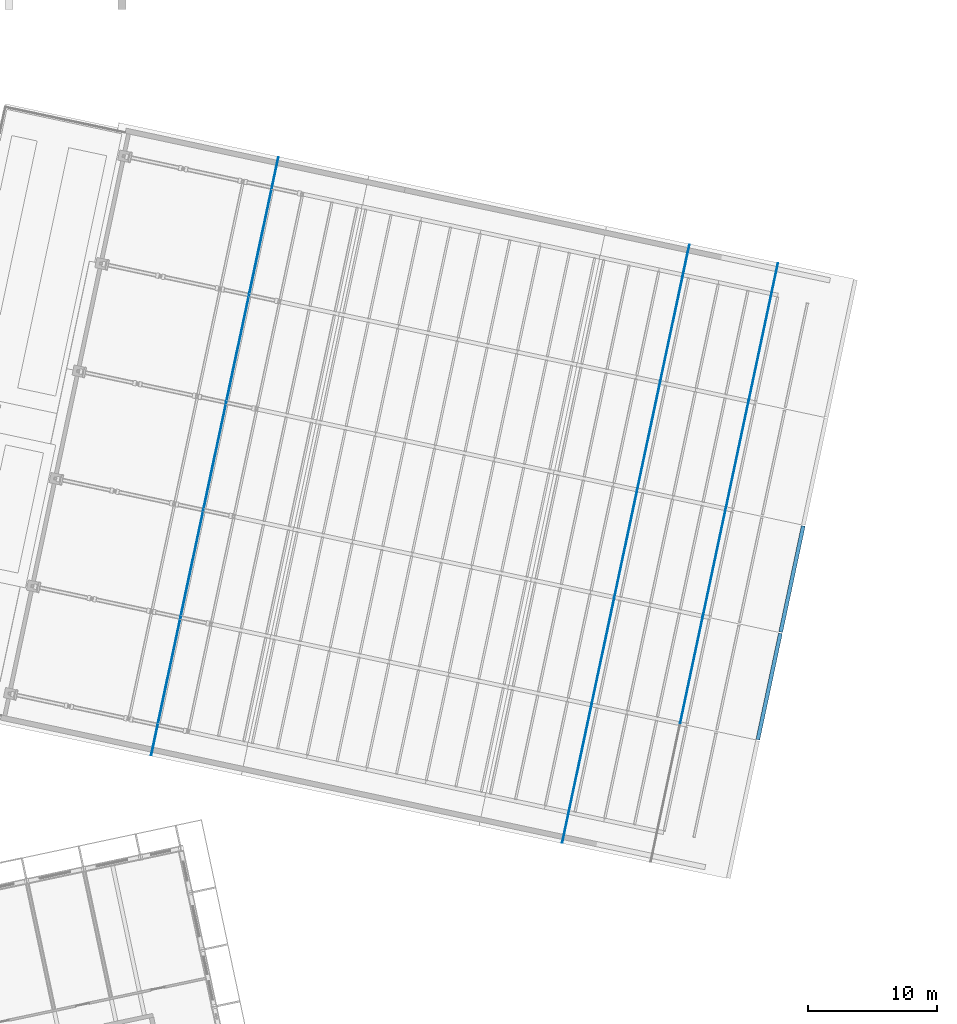
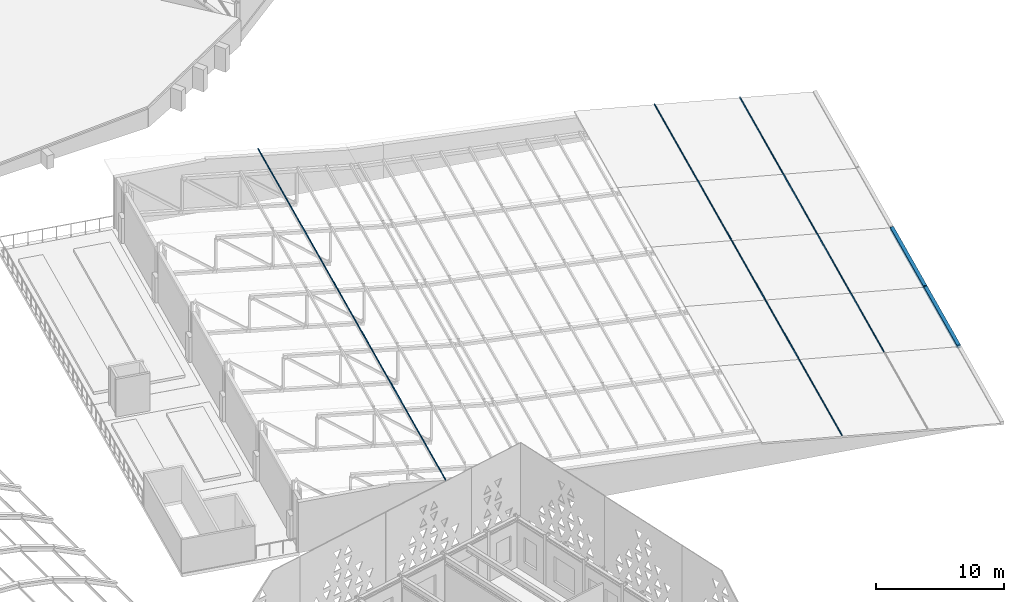
# One storey, part 138 of 196: 16 discrete accessories.
"""IFC4 building model written with IfcOpenShell, lengths in metres."""

from ifc_helpers import new_model, si_unit, direction, frame, origin, origin_2d, place, context, subcontext, project, spatial, polyline, rectangle, outline, extrude, material, type_object, element, save


model = new_model("IFC4")

# Units and contexts
model_context = context("Model", 3, precision=1e-05, world=origin(), true_north=direction((0.0, 1.0)))
body_context = subcontext(model_context, "Body", "Model", "MODEL_VIEW")
ifc_project = project(units=[si_unit("LENGTHUNIT", "METRE"), si_unit("AREAUNIT", "SQUARE_METRE"), si_unit("VOLUMEUNIT", "CUBIC_METRE"), si_unit("PLANEANGLEUNIT", "RADIAN"), si_unit("MASSUNIT", "GRAM", prefix="KILO")], contexts=[model_context])

# Site, building, storey
site_placement = place(None, origin())
site = spatial("IfcSite", under=ifc_project, at=site_placement, CompositionType="ELEMENT")
building_placement = place(site_placement, origin())
building = spatial("IfcBuilding", under=site, at=building_placement, Name="Okhra Congress Centre", CompositionType="ELEMENT")
storey_placement = place(building_placement, frame((0.0, 0.0, 12.0)))
storey = spatial("IfcBuildingStorey", under=building, at=storey_placement, Name="L02", CompositionType="ELEMENT", Elevation=12.0)

# Discrete accessories
ifc_material_1 = material(Name="Stainless steel box gutter with self-regulating heating cable", Category="steel")
discrete_accessory_type_1 = type_object("IfcDiscreteAccessoryType", Name="Heated eaves gutter 300x300", PredefinedType="USERDEFINED", material=ifc_material_1)
for number, where, z_axis, x_axis, name in (
    (1, (258.697265625, 96.221923828125, -0.09423828125), (0.0, 0.0, 1.0), (0.978147600734, -0.207911690818, 0.0), "Heated eaves gutter"),
    (2, (260.464599609375, 104.5361328125, -0.09423828125), (0.0, 0.0, 1.0), (0.978147600734, -0.207911690818, 0.0), "Heated eaves gutter"),
):
    element("IfcDiscreteAccessory", number, at=place(storey_placement, frame(where, z_axis=z_axis, x_axis=x_axis)), inside=storey, type_object=discrete_accessory_type_1, Name=name, ObjectType="HEATED GUTTER", PredefinedType="USERDEFINED", context=body_context, shape_type="SweptSolid", body=[
        extrude(rectangle(XDim=0.300048828125, YDim=8.39990234375, at=origin_2d()), origin(), (0.0, 0.0, 1.0), 0.300048828125),
    ])
ifc_material_2 = material(Name="Stainless steel snow retention bar clamped to the standing seams", Category="steel")
discrete_accessory_type_2 = type_object("IfcDiscreteAccessoryType", Name="Snow guard bar 40x120", PredefinedType="USERDEFINED", material=ifc_material_2)
discrete_accessory_1_placement = place(storey_placement, frame((210.89501953125, 90.89404296875, 4.617919921875), z_axis=(0.136197879382, -0.028949607911, 0.990258581308), x_axis=(0.96863019603, -0.205833916656, -0.139240590679)))
element("IfcDiscreteAccessory", 3, at=discrete_accessory_1_placement, inside=storey, type_object=discrete_accessory_type_2, Name="Snow guard bar", ObjectType="SNOW GUARD", PredefinedType="USERDEFINED", context=body_context, shape_type="SweptSolid", body=[
    extrude(outline(polyline([(0.0, 0.0), (0.040327567899596094, -6.750852589616774e-19), (0.040898080679850915, 10.850136306943863), (0.0005705127802544396, 10.850136306943863), (0.0, 0.0)])), origin(), (0.0, 0.0, -1.0), 0.1201171875),
])
discrete_accessory_2_placement = place(storey_placement, frame((242.684814453125, 84.136962890625, 1.822998046875), z_axis=(0.118713785154, -0.025233848052, 0.992607822922), x_axis=(0.970928127506, -0.206322227095, -0.121366015938)))
element("IfcDiscreteAccessory", 4, at=discrete_accessory_2_placement, inside=storey, type_object=discrete_accessory_type_2, Name="Snow guard bar", ObjectType="SNOW GUARD", PredefinedType="USERDEFINED", context=body_context, shape_type="SweptSolid", body=[
    extrude(outline(polyline([(0.0, 0.0), (0.040232123154520544, -5.522654816098038e-19), (0.0408543610292039, 10.849897498600846), (0.0006222378746834067, 10.849897498600845), (0.0, 0.0)])), origin(), (0.0, 0.0, -1.0), 0.1201171875),
])
discrete_accessory_3_placement = place(storey_placement, frame((213.171630859375, 101.604736328125, 4.617919921875), z_axis=(0.136197513436, -0.028951329999, 0.990258581293), x_axis=(0.96863019603, -0.205833916656, -0.139240590679)))
element("IfcDiscreteAccessory", 5, at=discrete_accessory_3_placement, inside=storey, type_object=discrete_accessory_type_2, Name="Snow guard bar", ObjectType="SNOW GUARD", PredefinedType="USERDEFINED", context=body_context, shape_type="SweptSolid", body=[
    extrude(outline(polyline([(0.0, 0.0), (0.040327567899596094, -1.4916250201148229e-18), (0.04087443248170543, 8.400136149467448), (0.0005468645821093965, 8.400136149467448), (0.0, 0.0)])), origin(), (0.0, 0.0, -1.0), 0.1201171875),
])
discrete_accessory_4_placement = place(storey_placement, frame((244.96142578125, 94.84765625, 1.822998046875), z_axis=(0.118713584207, -0.025234793683, 0.992607822915), x_axis=(0.970928127506, -0.206322227095, -0.121366015938)))
element("IfcDiscreteAccessory", 6, at=discrete_accessory_4_placement, inside=storey, type_object=discrete_accessory_type_2, Name="Snow guard bar", ObjectType="SNOW GUARD", PredefinedType="USERDEFINED", context=body_context, shape_type="SweptSolid", body=[
    extrude(outline(polyline([(0.0, 0.0), (0.040232123154520544, -1.0164395367051604e-19), (0.040780285091741454, 8.400136149382886), (0.000548161937220959, 8.400136149382888), (0.0, 0.0)])), origin(), (0.0, 0.0, -1.0), 0.1201171875),
])
discrete_accessory_5_placement = place(storey_placement, frame((251.80859375, 93.392333984375, 0.963623046875), z_axis=(0.124555864935, -0.026473765433, 0.991859353061), x_axis=(0.970196005077, -0.206166651079, -0.127338225666)))
element("IfcDiscreteAccessory", 7, at=discrete_accessory_5_placement, inside=storey, type_object=discrete_accessory_type_2, Name="Snow guard bar", ObjectType="SNOW GUARD", PredefinedType="USERDEFINED", context=body_context, shape_type="SweptSolid", body=[
    extrude(outline(polyline([(0.0, 0.0), (0.04026248283397708, -1.745734904291113e-18), (0.040623700829031224, 8.399846594163744), (0.000361217995054286, 8.399846594163744), (0.0, 0.0)])), origin(), (0.0, 0.0, -1.0), 0.1201171875),
])
discrete_accessory_6_placement = place(storey_placement, frame((214.93896484375, 109.919189453125, 4.617919921875), z_axis=(0.135715326337, -0.028847244409, 0.990327817789), x_axis=(0.967451645189, -0.211629775843, -0.138744917735)))
element("IfcDiscreteAccessory", 8, at=discrete_accessory_6_placement, inside=storey, type_object=discrete_accessory_type_2, Name="Snow guard bar", ObjectType="SNOW GUARD", PredefinedType="USERDEFINED", context=body_context, shape_type="SweptSolid", body=[
    extrude(outline(polyline([(0.0, 0.0), (0.04037852502262865, -8.63126573252132e-19), (-0.008755028767512565, 8.399992471566414), (-0.04931808061371212, 8.399701819869385), (0.0, 0.0)])), origin(), (0.0, 0.0, -1.0), 0.1201171875),
])
discrete_accessory_7_placement = place(storey_placement, frame((246.728759765625, 103.161865234375, 1.822998046875), z_axis=(0.118365241824, -0.025158988483, 0.992651346056), x_axis=(0.970970699573, -0.206331275949, -0.121009524977)))
element("IfcDiscreteAccessory", 9, at=discrete_accessory_7_placement, inside=storey, type_object=discrete_accessory_type_2, Name="Snow guard bar", ObjectType="SNOW GUARD", PredefinedType="USERDEFINED", context=body_context, shape_type="SweptSolid", body=[
    extrude(outline(polyline([(0.0, 0.0), (0.04023212055994954, 2.2598839032744733e-18), (0.04078028772166353, 8.40013614937012), (0.00031111376826342685, 8.400085402422842), (0.0, 0.0)])), origin(), (0.0, 0.0, -1.0), 0.1201171875),
])
discrete_accessory_8_placement = place(storey_placement, frame((253.57568359375, 101.70654296875, 0.963623046875), z_axis=(0.124190337814, -0.026397135093, 0.991907229156), x_axis=(0.970502527685, -0.204950780494, -0.126964645988)))
element("IfcDiscreteAccessory", 10, at=discrete_accessory_8_placement, inside=storey, type_object=discrete_accessory_type_2, Name="Snow guard bar", ObjectType="SNOW GUARD", PredefinedType="USERDEFINED", context=body_context, shape_type="SweptSolid", body=[
    extrude(outline(polyline([(0.0, 0.0), (0.040499387465800195, -1.3213713977167085e-18), (0.05133582862620001, 8.400078418461998), (0.011073380254073228, 8.400128868575207), (0.0, 0.0)])), origin(), (0.0, 0.0, -1.0), 0.1201171875),
])
discrete_accessory_9_placement = place(storey_placement, frame((216.7060546875, 118.2333984375, 4.617919921875), z_axis=(0.135799577055, -0.028865581341, 0.990315734039), x_axis=(0.968945381364, -0.204621929415, -0.13883340353)))
element("IfcDiscreteAccessory", 11, at=discrete_accessory_9_placement, inside=storey, type_object=discrete_accessory_type_2, Name="Snow guard bar", ObjectType="SNOW GUARD", PredefinedType="USERDEFINED", context=body_context, shape_type="SweptSolid", body=[
    extrude(outline(polyline([(0.0, 0.0), (0.04056409186545775, -1.6991480921921265e-18), (0.051433208168272355, 8.399839569777429), (0.011105675233811896, 8.399890020906124), (0.0, 0.0)])), origin(), (0.0, 0.0, -1.0), 0.1201171875),
])
discrete_accessory_10_placement = place(storey_placement, frame((248.495849609375, 111.476318359375, 1.822998046875), z_axis=(0.118291309172, -0.025143647363, 0.992660547807), x_axis=(0.970004524884, -0.210870795993, -0.120932746194)))
element("IfcDiscreteAccessory", 12, at=discrete_accessory_10_placement, inside=storey, type_object=discrete_accessory_type_2, Name="Snow guard bar", ObjectType="SNOW GUARD", PredefinedType="USERDEFINED", context=body_context, shape_type="SweptSolid", body=[
    extrude(outline(polyline([(0.0, 0.0), (0.04051998566649029, -2.778268066994105e-19), (0.0018446261349532277, 8.399996373883527), (-0.03838705989265123, 8.399809648613575), (0.0, 0.0)])), origin(), (0.0, 0.0, -1.0), 0.1201171875),
])
discrete_accessory_11_placement = place(storey_placement, frame((255.343017578125, 110.020751953125, 0.963623046875), z_axis=(0.124190337814, -0.026397135093, 0.991907229156), x_axis=(0.970242834997, -0.206176604955, -0.126964753791)))
element("IfcDiscreteAccessory", 13, at=discrete_accessory_11_placement, inside=storey, type_object=discrete_accessory_type_2, Name="Snow guard bar", ObjectType="SNOW GUARD", PredefinedType="USERDEFINED", context=body_context, shape_type="SweptSolid", body=[
    extrude(outline(polyline([(0.0, 0.0), (0.040262479979903294, 6.742382260144231e-19), (0.04081023432593666, 8.400136149395797), (0.0003108786538954522, 8.400085402430294), (0.0, 0.0)])), origin(), (0.0, 0.0, -1.0), 0.1201171875),
])
discrete_accessory_12_placement = place(storey_placement, frame((218.473388671875, 126.547607421875, 4.617919921875), z_axis=(0.136197743979, -0.028950245097, 0.990258581303), x_axis=(0.96863019603, -0.205833916656, -0.139240590679)))
element("IfcDiscreteAccessory", 14, at=discrete_accessory_12_placement, inside=storey, type_object=discrete_accessory_type_2, Name="Snow guard bar", ObjectType="SNOW GUARD", PredefinedType="USERDEFINED", context=body_context, shape_type="SweptSolid", body=[
    extrude(outline(polyline([(0.0, 0.0), (0.040327567899596094, 4.734914175151539e-19), (0.04094833310090952, 10.849897498685204), (0.0006207652013130449, 10.849897498685202), (0.0, 0.0)])), origin(), (0.0, 0.0, -1.0), 0.1201171875),
])
discrete_accessory_13_placement = place(storey_placement, frame((250.26318359375, 119.79052734375, 1.822998046875), z_axis=(0.118713785154, -0.025233848052, 0.992607822922), x_axis=(0.970928127506, -0.206322227095, -0.121366015938)))
element("IfcDiscreteAccessory", 15, at=discrete_accessory_13_placement, inside=storey, type_object=discrete_accessory_type_2, Name="Snow guard bar", ObjectType="SNOW GUARD", PredefinedType="USERDEFINED", context=body_context, shape_type="SweptSolid", body=[
    extrude(outline(polyline([(0.0, 0.0), (0.040232123154520544, -5.522654816098038e-19), (0.0408543610292039, 10.849897498600846), (0.0006222378746834067, 10.849897498600845), (0.0, 0.0)])), origin(), (0.0, 0.0, -1.0), 0.1201171875),
])
discrete_accessory_14_placement = place(storey_placement, frame((257.1103515625, 118.3349609375, 0.963623046875), z_axis=(0.124190586061, -0.026395963284, 0.991907229259), x_axis=(0.970242835185, -0.206176604534, -0.126964753045)))
element("IfcDiscreteAccessory", 16, at=discrete_accessory_14_placement, inside=storey, type_object=discrete_accessory_type_2, Name="Snow guard bar", ObjectType="SNOW GUARD", PredefinedType="USERDEFINED", context=body_context, shape_type="SweptSolid", body=[
    extrude(outline(polyline([(0.0, 0.0), (0.04026247997989189, 1.0731907441711985e-18), (0.040833920753532656, 10.850136306884439), (0.00033456508145723873, 10.850085559955362), (0.0, 0.0)])), origin(), (0.0, 0.0, -1.0), 0.1201171875),
])

save(model, "model.ifc")
